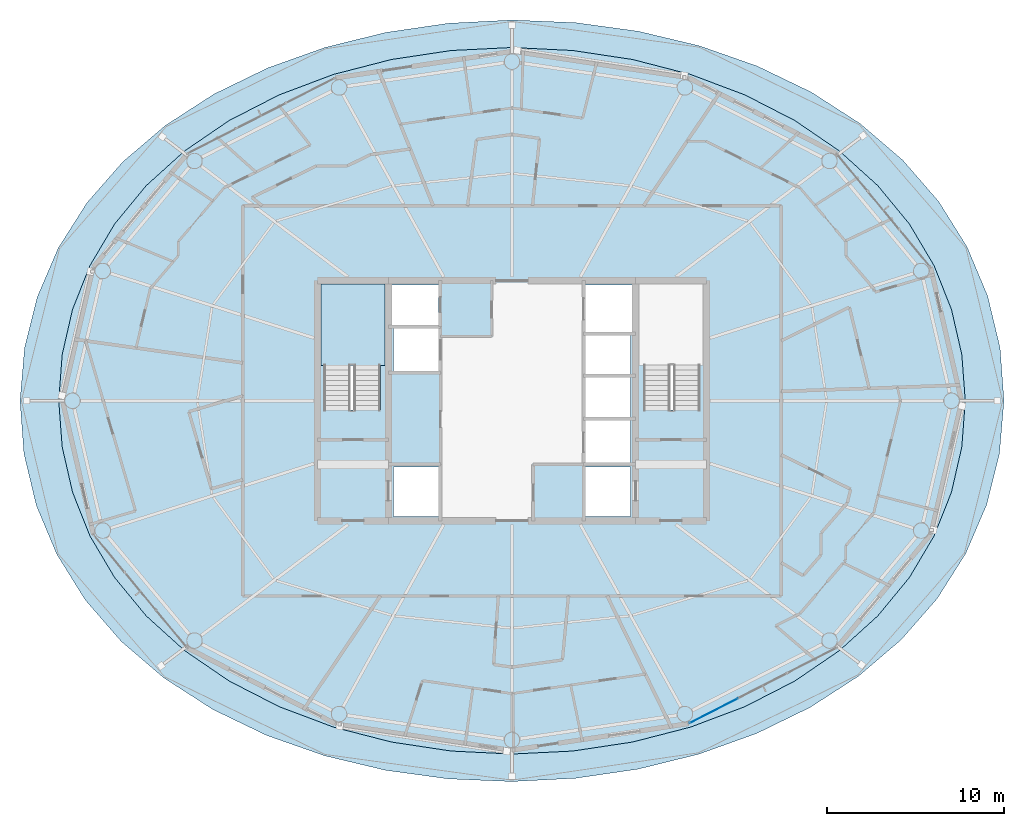
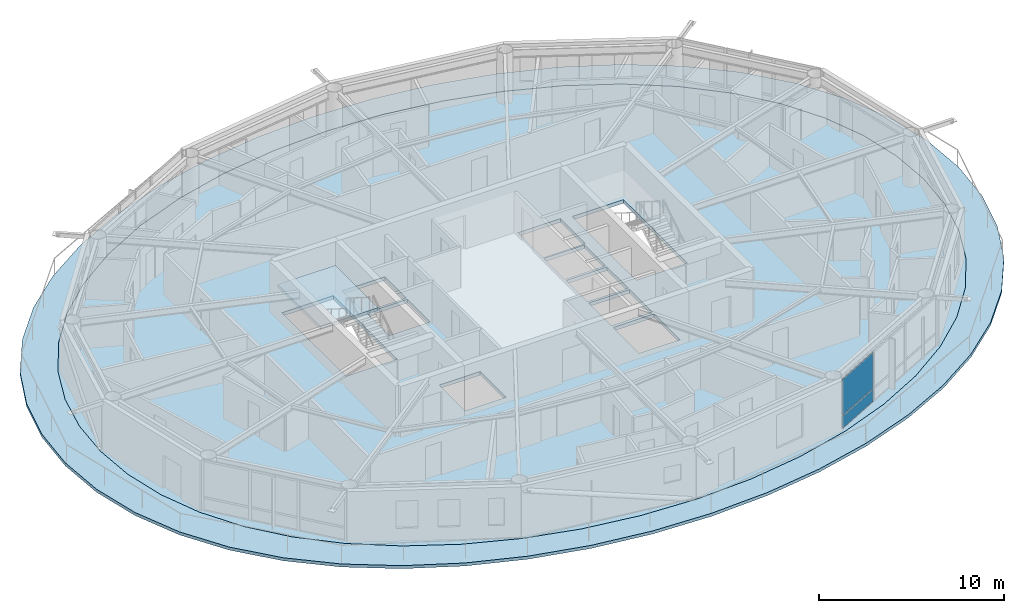
# One storey, part 13 of 23: 3 slabs, 2 plates, 2 elements without a shape of their own.
"""IFC4 building model written with IfcOpenShell, lengths in metres."""

from ifc_helpers import new_model, si_unit, direction, frame, origin, origin_2d, place, context, subcontext, project, spatial, polyline, rectangle, outline, extrude, material, layer, layer_set, type_object, element, aggregate, save


model = new_model("IFC4")

# Units and contexts
model_context = context("Model", 3, precision=1e-05, world=origin(), true_north=direction((0.0, 1.0)))
body_context = subcontext(model_context, "Body", "Model", "MODEL_VIEW")
ifc_project = project(units=[si_unit("LENGTHUNIT", "METRE"), si_unit("AREAUNIT", "SQUARE_METRE"), si_unit("VOLUMEUNIT", "CUBIC_METRE"), si_unit("PLANEANGLEUNIT", "RADIAN"), si_unit("MASSUNIT", "GRAM", prefix="KILO")], contexts=[model_context])

# Site, building, storey
site_placement = place(None, origin())
site = spatial("IfcSite", under=ifc_project, at=site_placement, CompositionType="ELEMENT")
building_placement = place(site_placement, origin())
building = spatial("IfcBuilding", under=site, at=building_placement, Name="Sarneth Arch Tower", CompositionType="ELEMENT")
storey_placement = place(building_placement, frame((0.0, 0.0, 231.60009765625)))
storey = spatial("IfcBuildingStorey", under=building, at=storey_placement, Name="L59", CompositionType="ELEMENT", Elevation=231.60009765625)

# Curtain wall, plates
ifc_material_1 = material(Name="Anodised aluminium Type AA25 and solar-control low-e laminated IGU", Category="aluminium")
ifc_layer_1 = layer(ifc_material_1, 0.179931640625)
ifc_layer_set_1 = layer_set([ifc_layer_1], Name="Anodised aluminium Type AA25 and solar-control low-e laminated IGU")
curtain_wall_type = type_object("IfcCurtainWallType", Name="CW-RES-HIGH", PredefinedType="NOTDEFINED", material=ifc_layer_set_1)
curtain_wall_placement = place(storey_placement, origin())
curtain_wall = element("IfcCurtainWall", 1, at=curtain_wall_placement, inside=storey, type_object=curtain_wall_type, Name="L59 Unitised curtain wall facet 14", PredefinedType="NOTDEFINED")
ifc_material_2 = material(Name="Solar-control low-e laminated IGU", Category="glass")
ifc_layer_2 = layer(ifc_material_2, 0.028076171875)
ifc_layer_set_2 = layer_set([ifc_layer_2], Name="Solar-control low-e laminated IGU")
plate_type = type_object("IfcPlateType", Name="CW-PANEL", PredefinedType="CURTAIN_PANEL", material=ifc_layer_set_2)
plate_1_placement = place(storey_placement, frame((59.4208984375, 24.447021484375, 0.059814453125), z_axis=(0.0, 0.0, 1.0), x_axis=(0.890009540525, 0.455941901753, 0.0)))
plate_1 = element("IfcPlate", 2, at=plate_1_placement, type_object=plate_type, Name="Curtain wall glazed vision pane CW-L59-F14/P00-00", PredefinedType="CURTAIN_PANEL", context=body_context, shape_type="SweptSolid", body=[
    extrude(rectangle(XDim=3.044677734375, YDim=0.028076171875, at=origin_2d()), origin(), (0.0, 0.0, 1.0), 0.81005859375),
])
plate_2_placement = place(storey_placement, frame((59.4208984375, 24.447021484375, 0.929931640625), z_axis=(0.0, 0.0, 1.0), x_axis=(0.890009540525, 0.455941901753, 0.0)))
plate_2 = element("IfcPlate", 3, at=plate_2_placement, type_object=plate_type, Name="Curtain wall glazed vision pane CW-L59-F14/P00-01", PredefinedType="CURTAIN_PANEL", context=body_context, shape_type="SweptSolid", body=[
    extrude(rectangle(XDim=3.044677734375, YDim=0.028076171875, at=origin_2d()), origin(), (0.0, 0.0, 1.0), 2.3701171875),
])
aggregate(curtain_wall, [plate_1, plate_2])

# Slab
ifc_material_3 = material(Name="Concrete C50/60", Category="concrete")
ifc_layer_3 = layer(ifc_material_3, 0.199951171875)
ifc_layer_set_3 = layer_set([ifc_layer_3], Name="Concrete C50/60")
slab_type_1 = type_object("IfcSlabType", Name="SLAB-BALC-200", PredefinedType="FLOOR", material=ifc_layer_set_3)
slab_1_placement = place(storey_placement, frame((0.0, 0.0, -0.2001953125)))
element("IfcSlab", 4, at=slab_1_placement, inside=storey, type_object=slab_type_1, Name="L59 Helical balcony band slab", PredefinedType="FLOOR", context=body_context, shape_type="SweptSolid", body=[
    extrude(outline(polyline([(75.853759765625, 42.0), (75.63134765625, 44.997314453125), (74.93212890625, 47.920654296875), (73.76806640625, 50.700439453125), (72.157470703125, 53.281005859375), (70.125244140625, 55.622314453125), (67.704833984375, 57.694580078125), (64.940673828125, 59.474853515625), (61.886962890625, 60.94677734375), (58.60498046875, 62.097900390625), (55.156982421875, 62.91943359375), (51.603271484375, 63.406494140625), (48.0, 63.55712890625), (44.400390625, 63.37158203125), (40.8564453125, 62.85302734375), (37.423828125, 62.006591796875), (34.159912109375, 60.839599609375), (31.124755859375, 59.362060546875), (28.37646484375, 57.58642578125), (25.966064453125, 55.529052734375), (23.93505859375, 53.20947265625), (22.3154296875, 50.65380859375), (21.13134765625, 47.897705078125), (20.403076171875, 44.9912109375), (20.146240234375, 42.0), (20.36865234375, 39.002685546875), (21.06787109375, 36.079345703125), (22.23193359375, 33.299560546875), (23.842529296875, 30.718994140625), (25.874755859375, 28.377685546875), (28.295166015625, 26.305419921875), (31.059326171875, 24.525146484375), (34.113037109375, 23.05322265625), (37.39501953125, 21.902099609375), (40.843017578125, 21.08056640625), (44.396728515625, 20.593505859375), (48.0, 20.44287109375), (51.599609375, 20.62841796875), (55.1435546875, 21.14697265625), (58.576171875, 21.993408203125), (61.840087890625, 23.160400390625), (64.875244140625, 24.637939453125), (67.62353515625, 26.41357421875), (70.033935546875, 28.470947265625), (72.06494140625, 30.79052734375), (73.6845703125, 33.34619140625), (74.86865234375, 36.102294921875), (75.596923828125, 39.0087890625), (75.853759765625, 42.0)]), holes=[polyline([(73.660888671875, 42.0), (73.466064453125, 44.610595703125), (72.87890625, 47.17626953125), (71.892822265625, 49.653564453125), (70.5029296875, 52.0), (68.712158203125, 54.17529296875), (66.536865234375, 56.14208984375), (64.009521484375, 57.8671875), (61.177001953125, 59.320556640625), (58.0966796875, 60.4775390625), (54.83203125, 61.318603515625), (51.44580078125, 61.828857421875), (48.0, 62.0), (44.55419921875, 61.828857421875), (41.16796875, 61.318603515625), (37.9033203125, 60.4775390625), (34.822998046875, 59.320556640625), (31.990478515625, 57.8671875), (29.463134765625, 56.14208984375), (27.287841796875, 54.17529296875), (25.4970703125, 52.0), (24.107177734375, 49.653564453125), (23.12109375, 47.17626953125), (22.533935546875, 44.610595703125), (22.339111328125, 42.0), (22.533935546875, 39.389404296875), (23.12109375, 36.82373046875), (24.107177734375, 34.346435546875), (25.4970703125, 32.0), (27.287841796875, 29.82470703125), (29.463134765625, 27.85791015625), (31.990478515625, 26.1328125), (34.822998046875, 24.679443359375), (37.9033203125, 23.5224609375), (41.16796875, 22.681396484375), (44.55419921875, 22.171142578125), (48.0, 22.0), (51.44580078125, 22.171142578125), (54.83203125, 22.681396484375), (58.0966796875, 23.5224609375), (61.177001953125, 24.679443359375), (64.009521484375, 26.1328125), (66.536865234375, 27.85791015625), (68.712158203125, 29.82470703125), (70.5029296875, 32.0), (71.892822265625, 34.346435546875), (72.87890625, 36.82373046875), (73.466064453125, 39.389404296875), (73.660888671875, 42.0)])]), origin(), (0.0, 0.0, 1.0), 0.2001953125),
])

# Stair, slab
ifc_material_4 = material(Name="Concrete C50/60", Category="concrete")
stair_type = type_object("IfcStairType", Name="STAIR-CORE-RC", PredefinedType="HALF_TURN_STAIR", material=ifc_material_4)
stair_placement = place(storey_placement, origin())
stair = element("IfcStair", 5, at=stair_placement, inside=storey, type_object=stair_type, Name="L59 Core Exit Stair 1", PredefinedType="HALF_TURN_STAIR")
ifc_material_5 = material(Name="Concrete C50/60", Category="concrete")
ifc_layer_4 = layer(ifc_material_5, 0.199951171875)
ifc_layer_set_4 = layer_set([ifc_layer_4], Name="Concrete C50/60")
slab_type_2 = type_object("IfcSlabType", Name="SLAB-LANDING-200", PredefinedType="LANDING", material=ifc_layer_set_4)
slab_2_placement = place(storey_placement, frame((0.0, 0.0, 1.599853515625)))
slab_2 = element("IfcSlab", 6, at=slab_2_placement, type_object=slab_type_2, Name="ST-1 landing 1", PredefinedType="LANDING", context=body_context, shape_type="SweptSolid", body=[
    extrude(outline(polyline([(37.199951171875, 43.985107421875), (40.800048828125, 43.985107421875), (40.800048828125, 48.60009765625), (37.199951171875, 48.60009765625), (37.199951171875, 43.985107421875)])), origin(), (0.0, 0.0, 1.0), 0.199951171875),
])
aggregate(stair, [slab_2])

# Slab
ifc_material_6 = material(Name="Concrete C50/60", Category="concrete")
ifc_layer_5 = layer(ifc_material_6, 0.239990234375)
ifc_layer_set_5 = layer_set([ifc_layer_5], Name="Concrete C50/60")
slab_type_3 = type_object("IfcSlabType", Name="SLAB-TOWER-240", PredefinedType="FLOOR", material=ifc_layer_set_5)
slab_3_placement = place(storey_placement, frame((0.0, 0.0, -0.239990234375)))
element("IfcSlab", 7, at=slab_3_placement, inside=storey, type_object=slab_type_3, Name="L59 Elliptical floor slab", PredefinedType="FLOOR", context=body_context, shape_type="SweptSolid", body=[
    extrude(outline(polyline([(73.660888671875, 42.0), (73.466064453125, 44.610595703125), (72.87890625, 47.17626953125), (71.892822265625, 49.653564453125), (70.5029296875, 52.0), (68.712158203125, 54.17529296875), (66.536865234375, 56.14208984375), (64.009521484375, 57.8671875), (61.177001953125, 59.320556640625), (58.0966796875, 60.4775390625), (54.83203125, 61.318603515625), (51.44580078125, 61.828857421875), (48.0, 62.0), (44.55419921875, 61.828857421875), (41.16796875, 61.318603515625), (37.9033203125, 60.4775390625), (34.822998046875, 59.320556640625), (31.990478515625, 57.8671875), (29.463134765625, 56.14208984375), (27.287841796875, 54.17529296875), (25.4970703125, 52.0), (24.107177734375, 49.653564453125), (23.12109375, 47.17626953125), (22.533935546875, 44.610595703125), (22.339111328125, 42.0), (22.533935546875, 39.389404296875), (23.12109375, 36.82373046875), (24.107177734375, 34.346435546875), (25.4970703125, 32.0), (27.287841796875, 29.82470703125), (29.463134765625, 27.85791015625), (31.990478515625, 26.1328125), (34.822998046875, 24.679443359375), (37.9033203125, 23.5224609375), (41.16796875, 22.681396484375), (44.55419921875, 22.171142578125), (48.0, 22.0), (51.44580078125, 22.171142578125), (54.83203125, 22.681396484375), (58.0966796875, 23.5224609375), (61.177001953125, 24.679443359375), (64.009521484375, 26.1328125), (66.536865234375, 27.85791015625), (68.712158203125, 29.82470703125), (70.5029296875, 32.0), (71.892822265625, 34.346435546875), (72.87890625, 36.82373046875), (73.466064453125, 39.389404296875), (73.660888671875, 42.0)]), holes=[polyline([(37.35009765625, 41.489990234375), (40.550048828125, 41.489990234375), (40.550048828125, 48.39990234375), (37.35009765625, 48.39990234375), (37.35009765625, 41.489990234375)]), polyline([(55.449951171875, 41.489990234375), (58.64990234375, 41.489990234375), (58.64990234375, 48.39990234375), (55.449951171875, 48.39990234375), (55.449951171875, 41.489990234375)]), polyline([(41.199951171875, 46.25), (43.85009765625, 46.25), (43.85009765625, 48.550048828125), (41.199951171875, 48.550048828125), (41.199951171875, 46.25)]), polyline([(41.300048828125, 35.449951171875), (43.85009765625, 35.449951171875), (43.85009765625, 38.25), (41.300048828125, 38.25), (41.300048828125, 35.449951171875)]), polyline([(52.14990234375, 35.449951171875), (54.699951171875, 35.449951171875), (54.699951171875, 38.25), (52.14990234375, 38.25), (52.14990234375, 35.449951171875)]), polyline([(52.14990234375, 45.85009765625), (54.800048828125, 45.85009765625), (54.800048828125, 48.550048828125), (52.14990234375, 48.550048828125), (52.14990234375, 45.85009765625)]), polyline([(41.300048828125, 43.64990234375), (43.85009765625, 43.64990234375), (43.85009765625, 46.10009765625), (41.300048828125, 46.10009765625), (41.300048828125, 43.64990234375)]), polyline([(52.14990234375, 38.449951171875), (54.699951171875, 38.449951171875), (54.699951171875, 40.89990234375), (52.14990234375, 40.89990234375), (52.14990234375, 38.449951171875)]), polyline([(52.14990234375, 41.050048828125), (54.699951171875, 41.050048828125), (54.699951171875, 43.35009765625), (52.14990234375, 43.35009765625), (52.14990234375, 41.050048828125)]), polyline([(52.14990234375, 43.5), (54.699951171875, 43.5), (54.699951171875, 45.75), (52.14990234375, 45.75), (52.14990234375, 43.5)])]), origin(), (0.0, 0.0, 1.0), 0.239990234375),
])

save(model, "model.ifc")
